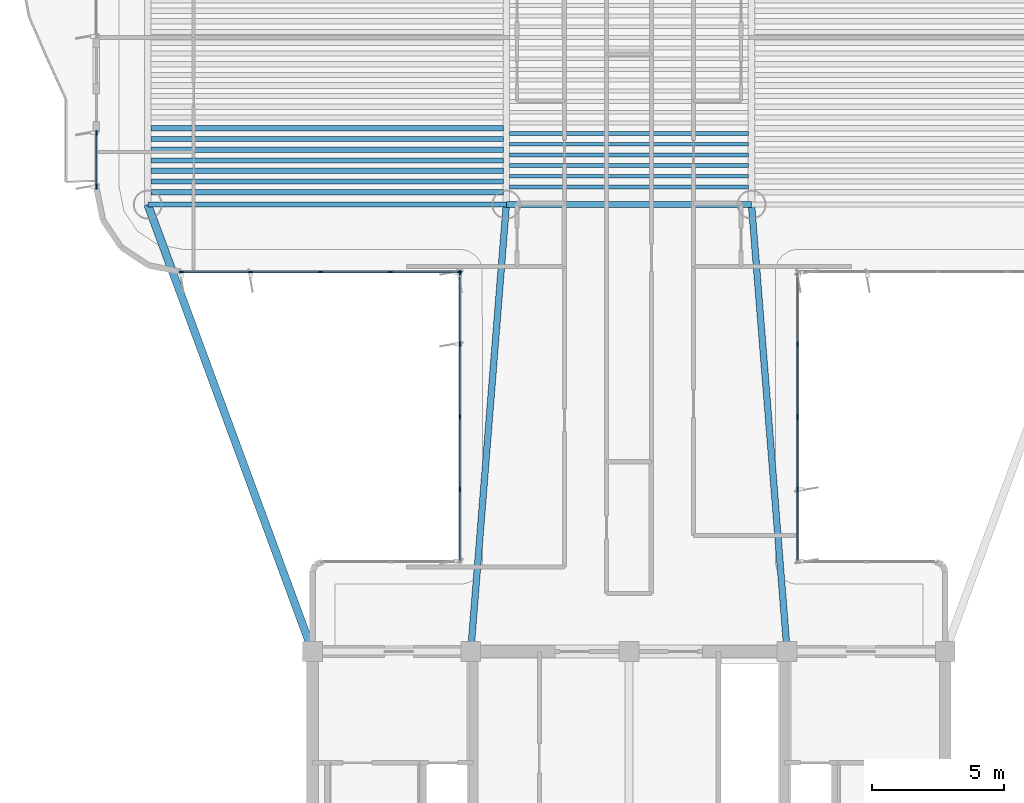
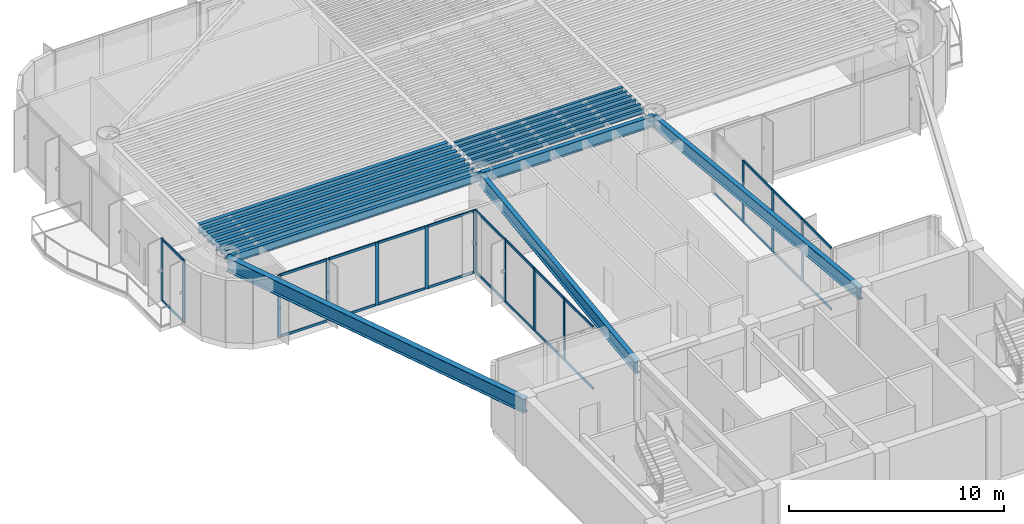
# One storey, part 3 of 15: 39 members, 18 beams, 4 elements without a shape of their own.
"""IFC4 building model written with IfcOpenShell, lengths in metres."""

from ifc_helpers import new_model, si_unit, direction, frame, origin, origin_2d, place, context, subcontext, project, spatial, rectangle, i_section, extrude, source, transform, mapped, material, layer, layer_set, material_profile, profile_set, type_object, element, aggregate, save


model = new_model("IFC4")

# Units and contexts
model_context = context("Model", 3, precision=1e-05, world=origin(), true_north=direction((0.0, 1.0)))
body_context = subcontext(model_context, "Body", "Model", "MODEL_VIEW")
ifc_project = project(units=[si_unit("LENGTHUNIT", "METRE"), si_unit("AREAUNIT", "SQUARE_METRE"), si_unit("VOLUMEUNIT", "CUBIC_METRE"), si_unit("PLANEANGLEUNIT", "RADIAN"), si_unit("MASSUNIT", "GRAM", prefix="KILO")], contexts=[model_context])

# Site, building, storey
site_placement = place(None, origin())
site = spatial("IfcSite", under=ifc_project, at=site_placement, CompositionType="ELEMENT")
building_placement = place(site_placement, origin())
building = spatial("IfcBuilding", under=site, at=building_placement, Name="Brelvock Crest Care Tower", CompositionType="ELEMENT")
storey_placement = place(building_placement, frame((0.0, 0.0, 156.419921875)))
storey = spatial("IfcBuildingStorey", under=building, at=storey_placement, Name="L39", CompositionType="ELEMENT", Elevation=156.419921875)

# Beams
ifc_material_1 = material(Name="Steel Grade 350", Category="steel")
ifc_material_profile_1 = material_profile(ifc_material_1, i_section(OverallWidth=0.22900390625, OverallDepth=0.612060546875, WebThickness=0.011962890625, FlangeThickness=0.01953125, FilletRadius=0.013916015625, at=origin_2d()), Name="610UB125")
ifc_profile_set_1 = profile_set([ifc_material_profile_1], Name="Steel Grade 350")
beam_type_1 = type_object("IfcBeamType", Name="BM-G1", PredefinedType="BEAM", material=ifc_profile_set_1)
shared_shape_1 = source(origin(), body_context, "Body", "SweptSolid", [
    extrude(i_section(OverallWidth=0.22900390625, OverallDepth=0.612060546875, WebThickness=0.011962890625, FlangeThickness=0.01953125, FilletRadius=0.013916015625, at=origin_2d()), origin(), (0.0, 0.0, 1.0), 9.2998046875),
])
beam_1_placement = place(storey_placement, frame((31.35009765625, 34.949951171875, 3.22412109375), z_axis=(1.0, 0.0, 0.0), x_axis=(0.0, 1.0, 0.0)))
element("IfcBeam", 1, at=beam_1_placement, inside=storey, type_object=beam_type_1, Name="BM-TWR-L39-05", PredefinedType="BEAM", context=body_context, shape_type="MappedRepresentation", body=[
    mapped(shared_shape_1, transform((0.0, 0.0, 0.0), x_axis=(1.0, 0.0, 0.0), y_axis=(0.0, 1.0, 0.0), z_axis=(0.0, 0.0, 1.0), scale=1.0)),
])
ifc_material_profile_2 = material_profile(ifc_material_1, i_section(OverallWidth=0.14599609375, OverallDepth=0.256103515625, WebThickness=0.00634765625, FlangeThickness=0.010986328125, FilletRadius=0.0087890625, at=origin_2d()), Name="250UB37.3")
ifc_profile_set_2 = profile_set([ifc_material_profile_2], Name="Steel Grade 350")
beam_type_2 = type_object("IfcBeamType", Name="BM-J3", PredefinedType="JOIST", material=ifc_profile_set_2)
shared_shape_2 = source(origin(), body_context, "Body", "SweptSolid", [
    extrude(i_section(OverallWidth=0.14599609375, OverallDepth=0.256103515625, WebThickness=0.00634765625, FlangeThickness=0.010986328125, FilletRadius=0.0087890625, at=origin_2d()), origin(), (0.0, 0.0, 1.0), 9.06982421875),
])
for number, where, z_axis, x_axis, name in (
    (2, (31.465087890625, 35.618896484375, 3.402099609375), (1.0, 0.0, 0.0), (0.0, 1.0, 0.0), "BM-JH-L39-1"),
    (3, (31.465087890625, 36.02392578125, 3.402099609375), (1.0, 0.0, 0.0), (0.0, 1.0, 0.0), "BM-JH-L39-2"),
    (4, (31.465087890625, 36.42919921875, 3.402099609375), (1.0, 0.0, 0.0), (0.0, 1.0, 0.0), "BM-JH-L39-3"),
    (5, (31.465087890625, 36.834228515625, 3.402099609375), (1.0, 0.0, 0.0), (0.0, 1.0, 0.0), "BM-JH-L39-4"),
    (6, (31.465087890625, 37.239501953125, 3.402099609375), (1.0, 0.0, 0.0), (0.0, 1.0, 0.0), "BM-JH-L39-5"),
    (7, (31.465087890625, 37.64453125, 3.402099609375), (1.0, 0.0, 0.0), (0.0, 1.0, 0.0), "BM-JH-L39-6"),
):
    element("IfcBeam", number, at=place(storey_placement, frame(where, z_axis=z_axis, x_axis=x_axis)), inside=storey, type_object=beam_type_2, Name=name, PredefinedType="JOIST", context=body_context, shape_type="MappedRepresentation", body=[
        mapped(shared_shape_2, transform((0.0, 0.0, 0.0), x_axis=(1.0, 0.0, 0.0), y_axis=(0.0, 1.0, 0.0), z_axis=(0.0, 0.0, 1.0), scale=1.0)),
    ])
ifc_material_profile_3 = material_profile(ifc_material_1, i_section(OverallWidth=0.208984375, OverallDepth=0.532958984375, WebThickness=0.01025390625, FlangeThickness=0.015625, FilletRadius=0.013916015625, at=origin_2d()), Name="530UB92.4")
ifc_profile_set_3 = profile_set([ifc_material_profile_3], Name="Steel Grade 350")
beam_type_3 = type_object("IfcBeamType", Name="BM-G2", PredefinedType="BEAM", material=ifc_profile_set_3)
shared_shape_3 = source(origin(), body_context, "Body", "SweptSolid", [
    extrude(i_section(OverallWidth=0.208984375, OverallDepth=0.532958984375, WebThickness=0.01025390625, FlangeThickness=0.015625, FilletRadius=0.013916015625, at=origin_2d()), origin(), (0.0, 0.0, 1.0), 13.3701171875),
])
for number, where, z_axis, x_axis, name in (
    (8, (17.864990234375, 35.416259765625, 3.263671875), (1.0, 0.0, 0.0), (0.0, 1.0, 0.0), "BM-JW-L39-1"),
    (9, (17.864990234375, 36.2265625, 3.263671875), (1.0, 0.0, 0.0), (0.0, 1.0, 0.0), "BM-JW-L39-3"),
    (10, (17.864990234375, 37.036865234375, 3.263671875), (1.0, 0.0, 0.0), (0.0, 1.0, 0.0), "BM-JW-L39-5"),
    (11, (17.864990234375, 37.84716796875, 3.263671875), (1.0, 0.0, 0.0), (0.0, 1.0, 0.0), "BM-JW-L39-7"),
):
    element("IfcBeam", number, at=place(storey_placement, frame(where, z_axis=z_axis, x_axis=x_axis)), inside=storey, type_object=beam_type_3, Name=name, PredefinedType="BEAM", context=body_context, shape_type="MappedRepresentation", body=[
        mapped(shared_shape_3, transform((0.0, 0.0, 0.0), x_axis=(1.0, 0.0, 0.0), y_axis=(0.0, 1.0, 0.0), z_axis=(0.0, 0.0, 1.0), scale=1.0)),
    ])
ifc_material_profile_4 = material_profile(ifc_material_1, i_section(OverallWidth=0.19091796875, OverallDepth=0.4599609375, WebThickness=0.010009765625, FlangeThickness=0.01611328125, FilletRadius=0.011474609375, at=origin_2d()), Name="460UB82.1")
ifc_profile_set_4 = profile_set([ifc_material_profile_4], Name="Steel Grade 350")
beam_type_4 = type_object("IfcBeamType", Name="BM-G3", PredefinedType="BEAM", material=ifc_profile_set_4)
shared_shape_4 = source(origin(), body_context, "Body", "SweptSolid", [
    extrude(i_section(OverallWidth=0.19091796875, OverallDepth=0.4599609375, WebThickness=0.010009765625, FlangeThickness=0.01611328125, FilletRadius=0.011474609375, at=origin_2d()), origin(), (0.0, 0.0, 1.0), 13.3701171875),
])
for number, where, z_axis, x_axis, name in (
    (12, (17.864990234375, 35.8212890625, 3.300048828125), (1.0, 0.0, 0.0), (0.0, 1.0, 0.0), "BM-JW-L39-2"),
    (13, (17.864990234375, 36.631591796875, 3.300048828125), (1.0, 0.0, 0.0), (0.0, 1.0, 0.0), "BM-JW-L39-4"),
    (14, (17.864990234375, 37.44189453125, 3.300048828125), (1.0, 0.0, 0.0), (0.0, 1.0, 0.0), "BM-JW-L39-6"),
):
    element("IfcBeam", number, at=place(storey_placement, frame(where, z_axis=z_axis, x_axis=x_axis)), inside=storey, type_object=beam_type_4, Name=name, PredefinedType="BEAM", context=body_context, shape_type="MappedRepresentation", body=[
        mapped(shared_shape_4, transform((0.0, 0.0, 0.0), x_axis=(1.0, 0.0, 0.0), y_axis=(0.0, 1.0, 0.0), z_axis=(0.0, 0.0, 1.0), scale=1.0)),
    ])
ifc_material_profile_5 = material_profile(ifc_material_1, i_section(OverallWidth=0.19091796875, OverallDepth=0.4599609375, WebThickness=0.010009765625, FlangeThickness=0.01611328125, FilletRadius=0.011474609375, at=origin_2d()), Name="460UB82.1")
ifc_profile_set_5 = profile_set([ifc_material_profile_5], Name="Steel Grade 350")
beam_type_5 = type_object("IfcBeamType", Name="BM-SP2", PredefinedType="SPANDREL", material=ifc_profile_set_5)
shared_shape_5 = source(origin(), body_context, "Body", "SweptSolid", [
    extrude(i_section(OverallWidth=0.19091796875, OverallDepth=0.4599609375, WebThickness=0.010009765625, FlangeThickness=0.01611328125, FilletRadius=0.011474609375, at=origin_2d()), origin(), (0.0, 0.0, 1.0), 13.60009765625),
])
beam_2_placement = place(storey_placement, frame((17.75, 34.949951171875, 3.300048828125), z_axis=(1.0, 0.0, 0.0), x_axis=(0.0, 1.0, 0.0)))
element("IfcBeam", 15, at=beam_2_placement, inside=storey, type_object=beam_type_5, Name="BM-TWR-L39-03", PredefinedType="SPANDREL", context=body_context, shape_type="MappedRepresentation", body=[
    mapped(shared_shape_5, transform((0.0, 0.0, 0.0), x_axis=(1.0, 0.0, 0.0), y_axis=(0.0, 1.0, 0.0), z_axis=(0.0, 0.0, 1.0), scale=1.0)),
])
ifc_material_profile_6 = material_profile(ifc_material_1, i_section(OverallWidth=0.25, OverallDepth=0.699951171875, WebThickness=0.011962890625, FlangeThickness=0.02001953125, at=origin_2d()), Name="700WB150")
ifc_profile_set_6 = profile_set([ifc_material_profile_6], Name="Steel Grade 350")
beam_type_6 = type_object("IfcBeamType", Name="BM-G4", PredefinedType="BEAM", material=ifc_profile_set_6)
shared_shape_6 = source(origin(), body_context, "Body", "SweptSolid", [
    extrude(i_section(OverallWidth=0.25, OverallDepth=0.699951171875, WebThickness=0.011962890625, FlangeThickness=0.02001953125, at=origin_2d()), origin(), (0.0, 0.0, 1.0), 17.003662109375),
])
for number, where, z_axis, x_axis, name in (
    (16, (30.0, 18.0, 3.18017578125), (0.079400530776, 0.996842793881, 0.0), (-0.996842793881, 0.079400530776, 0.0), "BM-THRW-L39"),
    (17, (42.0, 18.0, 3.18017578125), (-0.079400530776, 0.996842793881, 0.0), (-0.996842793881, -0.079400530776, 0.0), "BM-THRE-L39"),
):
    element("IfcBeam", number, at=place(storey_placement, frame(where, z_axis=z_axis, x_axis=x_axis)), inside=storey, type_object=beam_type_6, Name=name, PredefinedType="BEAM", context=body_context, shape_type="MappedRepresentation", body=[
        mapped(shared_shape_6, transform((0.0, 0.0, 0.0), x_axis=(1.0, 0.0, 0.0), y_axis=(0.0, 1.0, 0.0), z_axis=(0.0, 0.0, 1.0), scale=1.0)),
    ])
ifc_material_profile_7 = material_profile(ifc_material_1, i_section(OverallWidth=0.300048828125, OverallDepth=0.800048828125, WebThickness=0.013916015625, FlangeThickness=0.02197265625, at=origin_2d()), Name="800WB192")
ifc_profile_set_7 = profile_set([ifc_material_profile_7], Name="Steel Grade 350")
beam_type_7 = type_object("IfcBeamType", Name="BM-G5", PredefinedType="BEAM", material=ifc_profile_set_7)
shared_shape_7 = source(origin(), body_context, "Body", "SweptSolid", [
    extrude(i_section(OverallWidth=0.300048828125, OverallDepth=0.800048828125, WebThickness=0.013916015625, FlangeThickness=0.02197265625, at=origin_2d()), origin(), (0.0, 0.0, 1.0), 18.0654296875),
])
beam_3_placement = place(storey_placement, frame((24.0, 18.0, 3.130126953125), z_axis=(-0.345962741309, 0.938248251597, 0.0), x_axis=(-0.938248251597, -0.345962741309, 0.0)))
element("IfcBeam", 18, at=beam_3_placement, inside=storey, type_object=beam_type_7, Name="BM-THRO-W-L39", PredefinedType="BEAM", context=body_context, shape_type="MappedRepresentation", body=[
    mapped(shared_shape_7, transform((0.0, 0.0, 0.0), x_axis=(1.0, 0.0, 0.0), y_axis=(0.0, 1.0, 0.0), z_axis=(0.0, 0.0, 1.0), scale=1.0)),
])

# Curtain wall, members
ifc_material_2 = material(Name="Dark Glass Double Glazed Low-E", Category="glass")
ifc_layer = layer(ifc_material_2, 0.22509765625, Name="CWS-4")
ifc_layer_set = layer_set([ifc_layer], Name="Dark Glass Double Glazed Low-E")
curtain_wall_type = type_object("IfcCurtainWallType", Name="CWS-4", PredefinedType="NOTDEFINED", material=ifc_layer_set)
curtain_wall_1_placement = place(storey_placement, origin())
curtain_wall_1 = element("IfcCurtainWall", 19, at=curtain_wall_1_placement, inside=storey, type_object=curtain_wall_type, Name="L39 Curtain Wall E11", PredefinedType="NOTDEFINED")
ifc_material_3 = material(Name="Aluminium 6063-T6", Category="aluminium")
ifc_material_profile_8 = material_profile(ifc_material_3, rectangle(XDim=0.06005859375, YDim=0.179931640625, at=origin_2d()), Name="ALU60x180")
ifc_profile_set_8 = profile_set([ifc_material_profile_8], Name="Aluminium 6063-T6")
member_type_1 = type_object("IfcMemberType", Name="CWM-2", PredefinedType="MULLION", material=ifc_profile_set_8)
shared_shape_8 = source(origin(), body_context, "Body", "SweptSolid", [
    extrude(rectangle(XDim=0.06005859375, YDim=0.179931640625, at=origin_2d()), origin(), (0.0, 0.0, 1.0), 3.530029296875),
])
member_1_placement = place(storey_placement, frame((29.60009765625, 24.14990234375, 0.0), z_axis=(0.0, 0.0, 1.0), x_axis=(-1.0, 0.0, 0.0)))
member_1 = element("IfcMember", 20, at=member_1_placement, type_object=member_type_1, Name="CW-4 mullion 2", PredefinedType="MULLION", context=body_context, shape_type="MappedRepresentation", body=[
    mapped(shared_shape_8, transform((0.0, 0.0, 0.0), x_axis=(1.0, 0.0, 0.0), y_axis=(0.0, 1.0, 0.0), z_axis=(0.0, 0.0, 1.0), scale=1.0)),
])
member_2_placement = place(storey_placement, frame((29.60009765625, 26.89990234375, 0.0), z_axis=(0.0, 0.0, 1.0), x_axis=(-1.0, 0.0, 0.0)))
member_2 = element("IfcMember", 21, at=member_2_placement, type_object=member_type_1, Name="CW-4 mullion 3", PredefinedType="MULLION", context=body_context, shape_type="MappedRepresentation", body=[
    mapped(shared_shape_8, transform((0.0, 0.0, 0.0), x_axis=(1.0, 0.0, 0.0), y_axis=(0.0, 1.0, 0.0), z_axis=(0.0, 0.0, 1.0), scale=1.0)),
])
member_3_placement = place(storey_placement, frame((29.60009765625, 29.64990234375, 0.0), z_axis=(0.0, 0.0, 1.0), x_axis=(-1.0, 0.0, 0.0)))
member_3 = element("IfcMember", 22, at=member_3_placement, type_object=member_type_1, Name="CW-4 mullion 4", PredefinedType="MULLION", context=body_context, shape_type="MappedRepresentation", body=[
    mapped(shared_shape_8, transform((0.0, 0.0, 0.0), x_axis=(1.0, 0.0, 0.0), y_axis=(0.0, 1.0, 0.0), z_axis=(0.0, 0.0, 1.0), scale=1.0)),
])
member_4_placement = place(storey_placement, frame((29.60009765625, 32.3701171875, 0.0), z_axis=(0.0, 0.0, 1.0), x_axis=(-1.0, 0.0, 0.0)))
member_4 = element("IfcMember", 23, at=member_4_placement, type_object=member_type_1, Name="CW-4 mullion 5", PredefinedType="MULLION", context=body_context, shape_type="MappedRepresentation", body=[
    mapped(shared_shape_8, transform((0.0, 0.0, 0.0), x_axis=(1.0, 0.0, 0.0), y_axis=(0.0, 1.0, 0.0), z_axis=(0.0, 0.0, 1.0), scale=1.0)),
])

curtain_wall_2_placement = place(storey_placement, origin())
curtain_wall_2 = element("IfcCurtainWall", 24, at=curtain_wall_2_placement, inside=storey, type_object=curtain_wall_type, Name="L39 Curtain Wall E12", PredefinedType="NOTDEFINED")
member_5_placement = place(storey_placement, frame((29.570068359375, 32.39990234375, 0.0), z_axis=(0.0, 0.0, 1.0), x_axis=(0.0, -1.0, 0.0)))
member_5 = element("IfcMember", 25, at=member_5_placement, type_object=member_type_1, Name="CW-4 mullion 1", PredefinedType="MULLION", context=body_context, shape_type="MappedRepresentation", body=[
    mapped(shared_shape_8, transform((0.0, 0.0, 0.0), x_axis=(1.0, 0.0, 0.0), y_axis=(0.0, 1.0, 0.0), z_axis=(0.0, 0.0, 1.0), scale=1.0)),
])
member_6_placement = place(storey_placement, frame((26.949951171875, 32.39990234375, 0.0), z_axis=(0.0, 0.0, 1.0), x_axis=(0.0, -1.0, 0.0)))
member_6 = element("IfcMember", 26, at=member_6_placement, type_object=member_type_1, Name="CW-4 mullion 2", PredefinedType="MULLION", context=body_context, shape_type="MappedRepresentation", body=[
    mapped(shared_shape_8, transform((0.0, 0.0, 0.0), x_axis=(1.0, 0.0, 0.0), y_axis=(0.0, 1.0, 0.0), z_axis=(0.0, 0.0, 1.0), scale=1.0)),
])
member_7_placement = place(storey_placement, frame((24.300048828125, 32.39990234375, 0.0), z_axis=(0.0, 0.0, 1.0), x_axis=(0.0, -1.0, 0.0)))
member_7 = element("IfcMember", 27, at=member_7_placement, type_object=member_type_1, Name="CW-4 mullion 3", PredefinedType="MULLION", context=body_context, shape_type="MappedRepresentation", body=[
    mapped(shared_shape_8, transform((0.0, 0.0, 0.0), x_axis=(1.0, 0.0, 0.0), y_axis=(0.0, 1.0, 0.0), z_axis=(0.0, 0.0, 1.0), scale=1.0)),
])
member_8_placement = place(storey_placement, frame((21.64990234375, 32.39990234375, 0.0), z_axis=(0.0, 0.0, 1.0), x_axis=(0.0, -1.0, 0.0)))
member_8 = element("IfcMember", 28, at=member_8_placement, type_object=member_type_1, Name="CW-4 mullion 4", PredefinedType="MULLION", context=body_context, shape_type="MappedRepresentation", body=[
    mapped(shared_shape_8, transform((0.0, 0.0, 0.0), x_axis=(1.0, 0.0, 0.0), y_axis=(0.0, 1.0, 0.0), z_axis=(0.0, 0.0, 1.0), scale=1.0)),
])
member_9_placement = place(storey_placement, frame((19.030029296875, 32.39990234375, 0.0), z_axis=(0.0, 0.0, 1.0), x_axis=(0.0, -1.0, 0.0)))
member_9 = element("IfcMember", 29, at=member_9_placement, type_object=member_type_1, Name="CW-4 mullion 5", PredefinedType="MULLION", context=body_context, shape_type="MappedRepresentation", body=[
    mapped(shared_shape_8, transform((0.0, 0.0, 0.0), x_axis=(1.0, 0.0, 0.0), y_axis=(0.0, 1.0, 0.0), z_axis=(0.0, 0.0, 1.0), scale=1.0)),
])

curtain_wall_3_placement = place(storey_placement, origin())
curtain_wall_3 = element("IfcCurtainWall", 30, at=curtain_wall_3_placement, inside=storey, type_object=curtain_wall_type, Name="L39 Curtain Wall E17A", PredefinedType="NOTDEFINED")
member_10_placement = place(storey_placement, frame((15.800048828125, 35.6298828125, 0.0), z_axis=(0.0, 0.0, 1.0), x_axis=(-1.0, 0.0, 0.0)))
member_10 = element("IfcMember", 31, at=member_10_placement, type_object=member_type_1, Name="CW-4 mullion 1", PredefinedType="MULLION", context=body_context, shape_type="MappedRepresentation", body=[
    mapped(shared_shape_8, transform((0.0, 0.0, 0.0), x_axis=(1.0, 0.0, 0.0), y_axis=(0.0, 1.0, 0.0), z_axis=(0.0, 0.0, 1.0), scale=1.0)),
])
member_11_placement = place(storey_placement, frame((15.800048828125, 37.669921875, 0.0), z_axis=(0.0, 0.0, 1.0), x_axis=(-1.0, 0.0, 0.0)))
member_11 = element("IfcMember", 32, at=member_11_placement, type_object=member_type_1, Name="CW-4 mullion 2", PredefinedType="MULLION", context=body_context, shape_type="MappedRepresentation", body=[
    mapped(shared_shape_8, transform((0.0, 0.0, 0.0), x_axis=(1.0, 0.0, 0.0), y_axis=(0.0, 1.0, 0.0), z_axis=(0.0, 0.0, 1.0), scale=1.0)),
])

curtain_wall_4_placement = place(storey_placement, origin())
curtain_wall_4 = element("IfcCurtainWall", 33, at=curtain_wall_4_placement, inside=storey, type_object=curtain_wall_type, Name="L39 Curtain Wall E45", PredefinedType="NOTDEFINED")
member_12_placement = place(storey_placement, frame((42.39990234375, 29.64990234375, 0.0), z_axis=(0.0, 0.0, 1.0), x_axis=(1.0, 0.0, 0.0)))
member_12 = element("IfcMember", 34, at=member_12_placement, type_object=member_type_1, Name="CW-4 mullion 2", PredefinedType="MULLION", context=body_context, shape_type="MappedRepresentation", body=[
    mapped(shared_shape_8, transform((0.0, 0.0, 0.0), x_axis=(1.0, 0.0, 0.0), y_axis=(0.0, 1.0, 0.0), z_axis=(0.0, 0.0, 1.0), scale=1.0)),
])
member_13_placement = place(storey_placement, frame((42.39990234375, 26.89990234375, 0.0), z_axis=(0.0, 0.0, 1.0), x_axis=(1.0, 0.0, 0.0)))
member_13 = element("IfcMember", 35, at=member_13_placement, type_object=member_type_1, Name="CW-4 mullion 3", PredefinedType="MULLION", context=body_context, shape_type="MappedRepresentation", body=[
    mapped(shared_shape_8, transform((0.0, 0.0, 0.0), x_axis=(1.0, 0.0, 0.0), y_axis=(0.0, 1.0, 0.0), z_axis=(0.0, 0.0, 1.0), scale=1.0)),
])
member_14_placement = place(storey_placement, frame((42.39990234375, 24.14990234375, 0.0), z_axis=(0.0, 0.0, 1.0), x_axis=(1.0, 0.0, 0.0)))
member_14 = element("IfcMember", 36, at=member_14_placement, type_object=member_type_1, Name="CW-4 mullion 4", PredefinedType="MULLION", context=body_context, shape_type="MappedRepresentation", body=[
    mapped(shared_shape_8, transform((0.0, 0.0, 0.0), x_axis=(1.0, 0.0, 0.0), y_axis=(0.0, 1.0, 0.0), z_axis=(0.0, 0.0, 1.0), scale=1.0)),
])

# Member
ifc_material_profile_9 = material_profile(ifc_material_3, rectangle(XDim=0.06005859375, YDim=0.139892578125, at=origin_2d()), Name="ALU60x140")
ifc_profile_set_9 = profile_set([ifc_material_profile_9], Name="Aluminium 6063-T6")
member_type_2 = type_object("IfcMemberType", Name="CWT-2", PredefinedType="USERDEFINED", material=ifc_profile_set_9)
shared_shape_9 = source(origin(), body_context, "Body", "SweptSolid", [
    extrude(rectangle(XDim=0.06005859375, YDim=0.139892578125, at=origin_2d()), origin(), (0.0, 0.0, 1.0), 2.66015625),
])
member_15_placement = place(storey_placement, frame((29.60009765625, 21.4599609375, 0.030029296875), z_axis=(0.0, 1.0, 0.0), x_axis=(-1.0, 0.0, 0.0)))
member_15 = element("IfcMember", 37, at=member_15_placement, type_object=member_type_2, Name="CW-4 transom 1.1", ObjectType="TRANSOM", PredefinedType="USERDEFINED", context=body_context, shape_type="MappedRepresentation", body=[
    mapped(shared_shape_9, transform((0.0, 0.0, 0.0), x_axis=(1.0, 0.0, 0.0), y_axis=(0.0, 1.0, 0.0), z_axis=(0.0, 0.0, 1.0), scale=1.0)),
])

member_16_placement = place(storey_placement, frame((29.60009765625, 21.4599609375, 3.5), z_axis=(0.0, 1.0, 0.0), x_axis=(-1.0, 0.0, 0.0)))
member_16 = element("IfcMember", 38, at=member_16_placement, type_object=member_type_2, Name="CW-4 transom 1.2", ObjectType="TRANSOM", PredefinedType="USERDEFINED", context=body_context, shape_type="MappedRepresentation", body=[
    mapped(shared_shape_9, transform((0.0, 0.0, 0.0), x_axis=(1.0, 0.0, 0.0), y_axis=(0.0, 1.0, 0.0), z_axis=(0.0, 0.0, 1.0), scale=1.0)),
])

member_17_placement = place(storey_placement, frame((29.60009765625, 29.679931640625, 0.030029296875), z_axis=(0.0, 1.0, 0.0), x_axis=(-1.0, 0.0, 0.0)))
member_17 = element("IfcMember", 39, at=member_17_placement, type_object=member_type_2, Name="CW-4 transom 4.1", ObjectType="TRANSOM", PredefinedType="USERDEFINED", context=body_context, shape_type="MappedRepresentation", body=[
    mapped(shared_shape_9, transform((0.0, 0.0, 0.0), x_axis=(1.0, 0.0, 0.0), y_axis=(0.0, 1.0, 0.0), z_axis=(0.0, 0.0, 1.0), scale=1.0)),
])

member_18_placement = place(storey_placement, frame((29.60009765625, 29.679931640625, 3.5), z_axis=(0.0, 1.0, 0.0), x_axis=(-1.0, 0.0, 0.0)))
member_18 = element("IfcMember", 40, at=member_18_placement, type_object=member_type_2, Name="CW-4 transom 4.2", ObjectType="TRANSOM", PredefinedType="USERDEFINED", context=body_context, shape_type="MappedRepresentation", body=[
    mapped(shared_shape_9, transform((0.0, 0.0, 0.0), x_axis=(1.0, 0.0, 0.0), y_axis=(0.0, 1.0, 0.0), z_axis=(0.0, 0.0, 1.0), scale=1.0)),
])

member_19_placement = place(storey_placement, frame((42.39990234375, 32.340087890625, 0.030029296875), z_axis=(0.0, -1.0, 0.0), x_axis=(1.0, 0.0, 0.0)))
member_19 = element("IfcMember", 41, at=member_19_placement, type_object=member_type_2, Name="CW-4 transom 1.1", ObjectType="TRANSOM", PredefinedType="USERDEFINED", context=body_context, shape_type="MappedRepresentation", body=[
    mapped(shared_shape_9, transform((0.0, 0.0, 0.0), x_axis=(1.0, 0.0, 0.0), y_axis=(0.0, 1.0, 0.0), z_axis=(0.0, 0.0, 1.0), scale=1.0)),
])

member_20_placement = place(storey_placement, frame((42.39990234375, 24.1201171875, 0.030029296875), z_axis=(0.0, -1.0, 0.0), x_axis=(1.0, 0.0, 0.0)))
member_20 = element("IfcMember", 42, at=member_20_placement, type_object=member_type_2, Name="CW-4 transom 4.1", ObjectType="TRANSOM", PredefinedType="USERDEFINED", context=body_context, shape_type="MappedRepresentation", body=[
    mapped(shared_shape_9, transform((0.0, 0.0, 0.0), x_axis=(1.0, 0.0, 0.0), y_axis=(0.0, 1.0, 0.0), z_axis=(0.0, 0.0, 1.0), scale=1.0)),
])

member_21_placement = place(storey_placement, frame((42.39990234375, 24.1201171875, 3.5), z_axis=(0.0, -1.0, 0.0), x_axis=(1.0, 0.0, 0.0)))
member_21 = element("IfcMember", 43, at=member_21_placement, type_object=member_type_2, Name="CW-4 transom 4.2", ObjectType="TRANSOM", PredefinedType="USERDEFINED", context=body_context, shape_type="MappedRepresentation", body=[
    mapped(shared_shape_9, transform((0.0, 0.0, 0.0), x_axis=(1.0, 0.0, 0.0), y_axis=(0.0, 1.0, 0.0), z_axis=(0.0, 0.0, 1.0), scale=1.0)),
])

shared_shape_10 = source(origin(), body_context, "Body", "SweptSolid", [
    extrude(rectangle(XDim=0.06005859375, YDim=0.139892578125, at=origin_2d()), origin(), (0.0, 0.0, 1.0), 2.690185546875),
])
member_22_placement = place(storey_placement, frame((29.60009765625, 24.179931640625, 0.030029296875), z_axis=(0.0, 1.0, 0.0), x_axis=(-1.0, 0.0, 0.0)))
member_22 = element("IfcMember", 44, at=member_22_placement, type_object=member_type_2, Name="CW-4 transom 2.1", ObjectType="TRANSOM", PredefinedType="USERDEFINED", context=body_context, shape_type="MappedRepresentation", body=[
    mapped(shared_shape_10, transform((0.0, 0.0, 0.0), x_axis=(1.0, 0.0, 0.0), y_axis=(0.0, 1.0, 0.0), z_axis=(0.0, 0.0, 1.0), scale=1.0)),
])

member_23_placement = place(storey_placement, frame((29.60009765625, 24.179931640625, 3.5), z_axis=(0.0, 1.0, 0.0), x_axis=(-1.0, 0.0, 0.0)))
member_23 = element("IfcMember", 45, at=member_23_placement, type_object=member_type_2, Name="CW-4 transom 2.2", ObjectType="TRANSOM", PredefinedType="USERDEFINED", context=body_context, shape_type="MappedRepresentation", body=[
    mapped(shared_shape_10, transform((0.0, 0.0, 0.0), x_axis=(1.0, 0.0, 0.0), y_axis=(0.0, 1.0, 0.0), z_axis=(0.0, 0.0, 1.0), scale=1.0)),
])

member_24_placement = place(storey_placement, frame((29.60009765625, 26.929931640625, 0.030029296875), z_axis=(0.0, 1.0, 0.0), x_axis=(-1.0, 0.0, 0.0)))
member_24 = element("IfcMember", 46, at=member_24_placement, type_object=member_type_2, Name="CW-4 transom 3.1", ObjectType="TRANSOM", PredefinedType="USERDEFINED", context=body_context, shape_type="MappedRepresentation", body=[
    mapped(shared_shape_10, transform((0.0, 0.0, 0.0), x_axis=(1.0, 0.0, 0.0), y_axis=(0.0, 1.0, 0.0), z_axis=(0.0, 0.0, 1.0), scale=1.0)),
])

member_25_placement = place(storey_placement, frame((29.60009765625, 26.929931640625, 3.5), z_axis=(0.0, 1.0, 0.0), x_axis=(-1.0, 0.0, 0.0)))
member_25 = element("IfcMember", 47, at=member_25_placement, type_object=member_type_2, Name="CW-4 transom 3.2", ObjectType="TRANSOM", PredefinedType="USERDEFINED", context=body_context, shape_type="MappedRepresentation", body=[
    mapped(shared_shape_10, transform((0.0, 0.0, 0.0), x_axis=(1.0, 0.0, 0.0), y_axis=(0.0, 1.0, 0.0), z_axis=(0.0, 0.0, 1.0), scale=1.0)),
])

aggregate(curtain_wall_1, [member_1, member_2, member_3, member_4, member_15, member_16, member_22, member_23, member_24, member_25, member_17, member_18])

member_26_placement = place(storey_placement, frame((42.39990234375, 29.6201171875, 0.030029296875), z_axis=(0.0, -1.0, 0.0), x_axis=(1.0, 0.0, 0.0)))
member_26 = element("IfcMember", 48, at=member_26_placement, type_object=member_type_2, Name="CW-4 transom 2.1", ObjectType="TRANSOM", PredefinedType="USERDEFINED", context=body_context, shape_type="MappedRepresentation", body=[
    mapped(shared_shape_10, transform((0.0, 0.0, 0.0), x_axis=(1.0, 0.0, 0.0), y_axis=(0.0, 1.0, 0.0), z_axis=(0.0, 0.0, 1.0), scale=1.0)),
])

member_27_placement = place(storey_placement, frame((42.39990234375, 29.6201171875, 3.5), z_axis=(0.0, -1.0, 0.0), x_axis=(1.0, 0.0, 0.0)))
member_27 = element("IfcMember", 49, at=member_27_placement, type_object=member_type_2, Name="CW-4 transom 2.2", ObjectType="TRANSOM", PredefinedType="USERDEFINED", context=body_context, shape_type="MappedRepresentation", body=[
    mapped(shared_shape_10, transform((0.0, 0.0, 0.0), x_axis=(1.0, 0.0, 0.0), y_axis=(0.0, 1.0, 0.0), z_axis=(0.0, 0.0, 1.0), scale=1.0)),
])

member_28_placement = place(storey_placement, frame((42.39990234375, 26.8701171875, 0.030029296875), z_axis=(0.0, -1.0, 0.0), x_axis=(1.0, 0.0, 0.0)))
member_28 = element("IfcMember", 50, at=member_28_placement, type_object=member_type_2, Name="CW-4 transom 3.1", ObjectType="TRANSOM", PredefinedType="USERDEFINED", context=body_context, shape_type="MappedRepresentation", body=[
    mapped(shared_shape_10, transform((0.0, 0.0, 0.0), x_axis=(1.0, 0.0, 0.0), y_axis=(0.0, 1.0, 0.0), z_axis=(0.0, 0.0, 1.0), scale=1.0)),
])

member_29_placement = place(storey_placement, frame((42.39990234375, 26.8701171875, 3.5), z_axis=(0.0, -1.0, 0.0), x_axis=(1.0, 0.0, 0.0)))
member_29 = element("IfcMember", 51, at=member_29_placement, type_object=member_type_2, Name="CW-4 transom 3.2", ObjectType="TRANSOM", PredefinedType="USERDEFINED", context=body_context, shape_type="MappedRepresentation", body=[
    mapped(shared_shape_10, transform((0.0, 0.0, 0.0), x_axis=(1.0, 0.0, 0.0), y_axis=(0.0, 1.0, 0.0), z_axis=(0.0, 0.0, 1.0), scale=1.0)),
])

aggregate(curtain_wall_4, [member_12, member_13, member_14, member_19, member_26, member_27, member_28, member_29, member_20, member_21])

shared_shape_11 = source(origin(), body_context, "Body", "SweptSolid", [
    extrude(rectangle(XDim=0.06005859375, YDim=0.139892578125, at=origin_2d()), origin(), (0.0, 0.0, 1.0), 2.56005859375),
])
member_30_placement = place(storey_placement, frame((29.5400390625, 32.39990234375, 0.030029296875), z_axis=(-1.0, 0.0, 0.0), x_axis=(0.0, -1.0, 0.0)))
member_30 = element("IfcMember", 52, at=member_30_placement, type_object=member_type_2, Name="CW-4 transom 1.1", ObjectType="TRANSOM", PredefinedType="USERDEFINED", context=body_context, shape_type="MappedRepresentation", body=[
    mapped(shared_shape_11, transform((0.0, 0.0, 0.0), x_axis=(1.0, 0.0, 0.0), y_axis=(0.0, 1.0, 0.0), z_axis=(0.0, 0.0, 1.0), scale=1.0)),
])

member_31_placement = place(storey_placement, frame((29.5400390625, 32.39990234375, 3.5), z_axis=(-1.0, 0.0, 0.0), x_axis=(0.0, -1.0, 0.0)))
member_31 = element("IfcMember", 53, at=member_31_placement, type_object=member_type_2, Name="CW-4 transom 1.2", ObjectType="TRANSOM", PredefinedType="USERDEFINED", context=body_context, shape_type="MappedRepresentation", body=[
    mapped(shared_shape_11, transform((0.0, 0.0, 0.0), x_axis=(1.0, 0.0, 0.0), y_axis=(0.0, 1.0, 0.0), z_axis=(0.0, 0.0, 1.0), scale=1.0)),
])

member_32_placement = place(storey_placement, frame((21.6201171875, 32.39990234375, 0.030029296875), z_axis=(-1.0, 0.0, 0.0), x_axis=(0.0, -1.0, 0.0)))
member_32 = element("IfcMember", 54, at=member_32_placement, type_object=member_type_2, Name="CW-4 transom 4.1", ObjectType="TRANSOM", PredefinedType="USERDEFINED", context=body_context, shape_type="MappedRepresentation", body=[
    mapped(shared_shape_11, transform((0.0, 0.0, 0.0), x_axis=(1.0, 0.0, 0.0), y_axis=(0.0, 1.0, 0.0), z_axis=(0.0, 0.0, 1.0), scale=1.0)),
])

member_33_placement = place(storey_placement, frame((21.6201171875, 32.39990234375, 3.5), z_axis=(-1.0, 0.0, 0.0), x_axis=(0.0, -1.0, 0.0)))
member_33 = element("IfcMember", 55, at=member_33_placement, type_object=member_type_2, Name="CW-4 transom 4.2", ObjectType="TRANSOM", PredefinedType="USERDEFINED", context=body_context, shape_type="MappedRepresentation", body=[
    mapped(shared_shape_11, transform((0.0, 0.0, 0.0), x_axis=(1.0, 0.0, 0.0), y_axis=(0.0, 1.0, 0.0), z_axis=(0.0, 0.0, 1.0), scale=1.0)),
])

shared_shape_12 = source(origin(), body_context, "Body", "SweptSolid", [
    extrude(rectangle(XDim=0.06005859375, YDim=0.139892578125, at=origin_2d()), origin(), (0.0, 0.0, 1.0), 2.58984375),
])
member_34_placement = place(storey_placement, frame((26.919921875, 32.39990234375, 0.030029296875), z_axis=(-1.0, 0.0, 0.0), x_axis=(0.0, -1.0, 0.0)))
member_34 = element("IfcMember", 56, at=member_34_placement, type_object=member_type_2, Name="CW-4 transom 2.1", ObjectType="TRANSOM", PredefinedType="USERDEFINED", context=body_context, shape_type="MappedRepresentation", body=[
    mapped(shared_shape_12, transform((0.0, 0.0, 0.0), x_axis=(1.0, 0.0, 0.0), y_axis=(0.0, 1.0, 0.0), z_axis=(0.0, 0.0, 1.0), scale=1.0)),
])

member_35_placement = place(storey_placement, frame((26.919921875, 32.39990234375, 3.5), z_axis=(-1.0, 0.0, 0.0), x_axis=(0.0, -1.0, 0.0)))
member_35 = element("IfcMember", 57, at=member_35_placement, type_object=member_type_2, Name="CW-4 transom 2.2", ObjectType="TRANSOM", PredefinedType="USERDEFINED", context=body_context, shape_type="MappedRepresentation", body=[
    mapped(shared_shape_12, transform((0.0, 0.0, 0.0), x_axis=(1.0, 0.0, 0.0), y_axis=(0.0, 1.0, 0.0), z_axis=(0.0, 0.0, 1.0), scale=1.0)),
])

shared_shape_13 = source(origin(), body_context, "Body", "SweptSolid", [
    extrude(rectangle(XDim=0.06005859375, YDim=0.139892578125, at=origin_2d()), origin(), (0.0, 0.0, 1.0), 2.590087890625),
])
member_36_placement = place(storey_placement, frame((24.27001953125, 32.39990234375, 0.030029296875), z_axis=(-1.0, 0.0, 0.0), x_axis=(0.0, -1.0, 0.0)))
member_36 = element("IfcMember", 58, at=member_36_placement, type_object=member_type_2, Name="CW-4 transom 3.1", ObjectType="TRANSOM", PredefinedType="USERDEFINED", context=body_context, shape_type="MappedRepresentation", body=[
    mapped(shared_shape_13, transform((0.0, 0.0, 0.0), x_axis=(1.0, 0.0, 0.0), y_axis=(0.0, 1.0, 0.0), z_axis=(0.0, 0.0, 1.0), scale=1.0)),
])

member_37_placement = place(storey_placement, frame((24.27001953125, 32.39990234375, 3.5), z_axis=(-1.0, 0.0, 0.0), x_axis=(0.0, -1.0, 0.0)))
member_37 = element("IfcMember", 59, at=member_37_placement, type_object=member_type_2, Name="CW-4 transom 3.2", ObjectType="TRANSOM", PredefinedType="USERDEFINED", context=body_context, shape_type="MappedRepresentation", body=[
    mapped(shared_shape_13, transform((0.0, 0.0, 0.0), x_axis=(1.0, 0.0, 0.0), y_axis=(0.0, 1.0, 0.0), z_axis=(0.0, 0.0, 1.0), scale=1.0)),
])

aggregate(curtain_wall_2, [member_5, member_6, member_7, member_8, member_9, member_30, member_31, member_34, member_35, member_36, member_37, member_32, member_33])

shared_shape_14 = source(origin(), body_context, "Body", "SweptSolid", [
    extrude(rectangle(XDim=0.06005859375, YDim=0.139892578125, at=origin_2d()), origin(), (0.0, 0.0, 1.0), 1.97998046875),
])
member_38_placement = place(storey_placement, frame((15.800048828125, 35.659912109375, 0.030029296875), z_axis=(0.0, 1.0, 0.0), x_axis=(-1.0, 0.0, 0.0)))
member_38 = element("IfcMember", 60, at=member_38_placement, type_object=member_type_2, Name="CW-4 transom 1.1", ObjectType="TRANSOM", PredefinedType="USERDEFINED", context=body_context, shape_type="MappedRepresentation", body=[
    mapped(shared_shape_14, transform((0.0, 0.0, 0.0), x_axis=(1.0, 0.0, 0.0), y_axis=(0.0, 1.0, 0.0), z_axis=(0.0, 0.0, 1.0), scale=1.0)),
])

member_39_placement = place(storey_placement, frame((15.800048828125, 35.659912109375, 3.5), z_axis=(0.0, 1.0, 0.0), x_axis=(-1.0, 0.0, 0.0)))
member_39 = element("IfcMember", 61, at=member_39_placement, type_object=member_type_2, Name="CW-4 transom 1.2", ObjectType="TRANSOM", PredefinedType="USERDEFINED", context=body_context, shape_type="MappedRepresentation", body=[
    mapped(shared_shape_14, transform((0.0, 0.0, 0.0), x_axis=(1.0, 0.0, 0.0), y_axis=(0.0, 1.0, 0.0), z_axis=(0.0, 0.0, 1.0), scale=1.0)),
])

aggregate(curtain_wall_3, [member_10, member_11, member_38, member_39])

save(model, "model.ifc")
